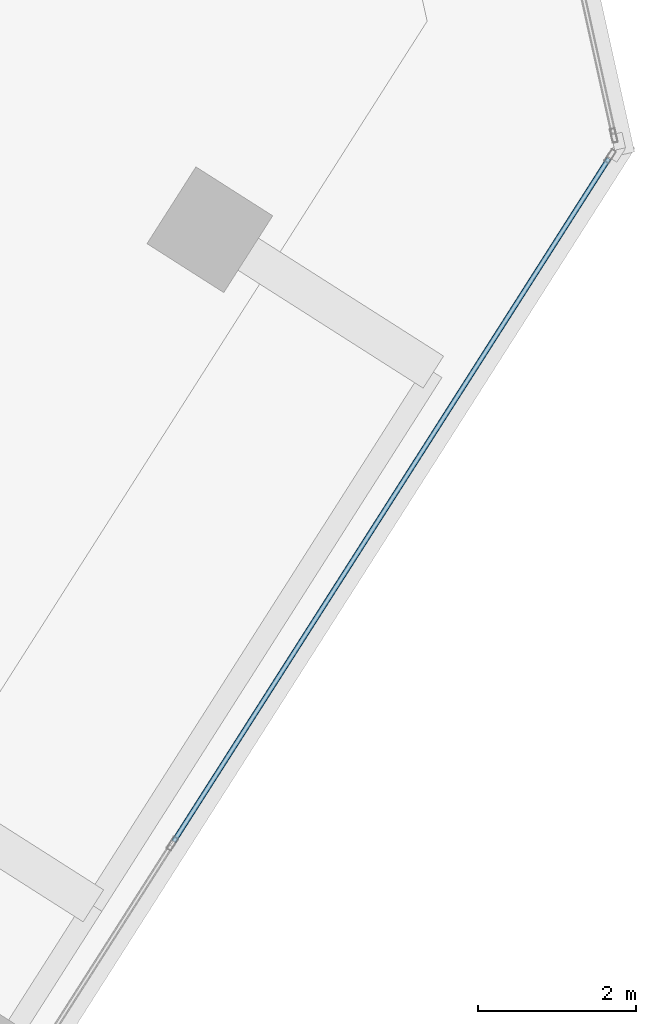
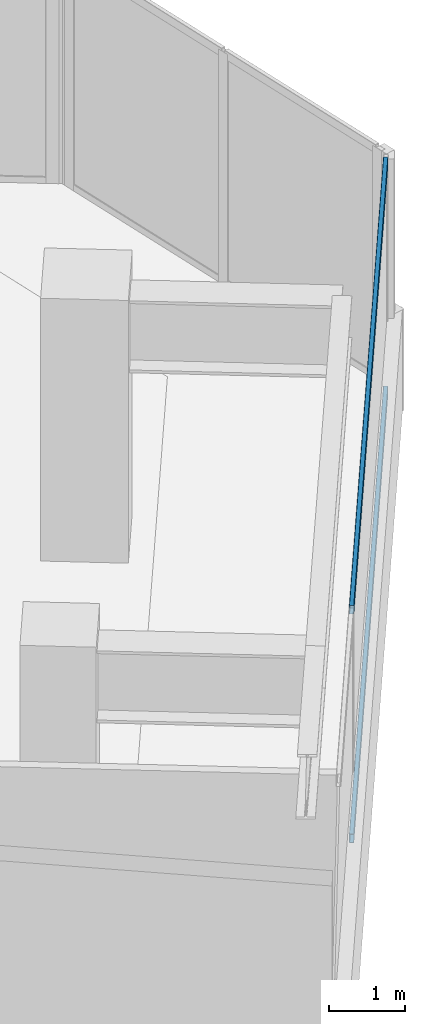
# One storey, part 9 of 23: 2 members, 1 element without a shape of its own.
"""IFC4 building model written with IfcOpenShell, lengths in metres."""

import ifcopenshell
import ifcopenshell.guid

model = None  # the IFC model being written
_history = None  # IfcOwnerHistory: only IFC2X3 demands one
_inside = {}  # id of a spatial element -> (the spatial element, [elements in it])
_under = {}  # id of a project, library or spatial element -> (it, [spatial elements below it])
_declared = {}  # id of a project -> (the project, [libraries it declares])
_typed = {}  # id of a type object -> (the type object, [elements of that type])
_made_of = {}  # id of a material, layer set ... -> (it, [elements and type objects made of it])


def new_model(schema):
    """Start an empty IFC model of exactly this schema.

    Asked for "IFC4X3", IfcOpenShell would pick the latest addendum, in which some entities
    have other attributes; the version numbers below select the first issue.
    IFC2X3 requires an IfcOwnerHistory on every rooted entity: one is made here for all.
    """
    global model, _history
    if schema == "IFC4X3":
        model = ifcopenshell.file(schema_version=(4, 3, 0, 0))
    else:
        model = ifcopenshell.file(schema=schema)
    _inside.clear()
    _under.clear()
    _declared.clear()
    _typed.clear()
    _made_of.clear()
    _history = None
    if model.schema == "IFC2X3":
        org = make("IfcOrganization", Name="unknown")
        user = make(
            "IfcPersonAndOrganization",
            ThePerson=make("IfcPerson", FamilyName="unknown"),
            TheOrganization=org,
        )
        app = make(
            "IfcApplication",
            ApplicationDeveloper=org,
            Version="unknown",
            ApplicationFullName="unknown",
            ApplicationIdentifier="unknown",
        )
        _history = make(
            "IfcOwnerHistory",
            OwningUser=user,
            OwningApplication=app,
            ChangeAction="ADDED",
            CreationDate=0,
        )
    return model


def make(cls, **values):
    """One entity of the class cls with the attributes given. An attribute that is None is left unset."""
    return model.create_entity(
        cls, **{name: value for name, value in values.items() if value is not None}
    )


def rooted(cls, **values):
    """An entity with a GlobalId (a new one), such as an element, a storey or a relation."""
    return make(cls, GlobalId=ifcopenshell.guid.new(), OwnerHistory=_history, **values)


def si_unit(unit_type, name, prefix=None):
    """IfcSIUnit, for example si_unit("LENGTHUNIT", "METRE", prefix="MILLI")."""
    return make("IfcSIUnit", UnitType=unit_type, Prefix=prefix, Name=name)


def assignment(units):
    """IfcUnitAssignment: the units of a project."""
    return None if units is None else make("IfcUnitAssignment", Units=units)


def point(xyz):
    """IfcCartesianPoint."""
    return None if xyz is None else make("IfcCartesianPoint", Coordinates=xyz)


def direction(xyz):
    """IfcDirection."""
    return None if xyz is None else make("IfcDirection", DirectionRatios=xyz)


def frame(location, z_axis=None, x_axis=None):
    """IfcAxis2Placement3D, a coordinate frame: its origin and axes. An axis left out is left unset."""
    return make(
        "IfcAxis2Placement3D",
        Location=point(location),
        Axis=direction(z_axis),
        RefDirection=direction(x_axis),
    )


def frame_2d(location, x_axis=None):
    """IfcAxis2Placement2D, a coordinate frame in the plane: its origin and x axis."""
    return make(
        "IfcAxis2Placement2D", Location=point(location), RefDirection=direction(x_axis)
    )


def origin():
    """The frame at (0, 0, 0) with its axes left unset."""
    return frame((0.0, 0.0, 0.0))


def origin_2d():
    """The frame at (0, 0) in the plane with its x axis left unset."""
    return frame_2d((0.0, 0.0))


def place(relative_to, where):
    """IfcLocalPlacement: puts the frame where relative to a parent placement (None: the world)."""
    return make(
        "IfcLocalPlacement", PlacementRelTo=relative_to, RelativePlacement=where
    )


def context(
    kind, dimensions, precision=None, world=None, true_north=None, identifier=None
):
    """IfcGeometricRepresentationContext, for example the 3D "Model" context."""
    return make(
        "IfcGeometricRepresentationContext",
        ContextIdentifier=identifier,
        ContextType=kind,
        CoordinateSpaceDimension=dimensions,
        Precision=precision,
        WorldCoordinateSystem=world,
        TrueNorth=true_north,
    )


def subcontext(parent, identifier, kind, view, scale=None):
    """IfcGeometricRepresentationSubContext, for example "Body" below "Model"."""
    return make(
        "IfcGeometricRepresentationSubContext",
        ContextIdentifier=identifier,
        ContextType=kind,
        ParentContext=parent,
        TargetScale=scale,
        TargetView=view,
    )


def project(units=None, contexts=None):
    """IfcProject with its units and contexts."""
    return rooted(
        "IfcProject",
        Name="project",
        RepresentationContexts=contexts,
        UnitsInContext=assignment(units),
    )


def spatial(cls, under=None, at=None, **own):
    """A site, building, storey or space (cls), placed at a placement, below another one or the project."""
    s = rooted(cls, ObjectPlacement=at, **own)
    if under is not None:
        _under.setdefault(under.id(), (under, []))[1].append(s)
    return s


def profile(cls, at=None, kind="AREA", **sizes):
    """A parametric profile (cls). Its sizes go by their IFC names, for example OverallWidth=200.0."""
    return make(cls, ProfileType=kind, Position=at, **sizes)


def hollow_rectangle(**sizes):
    """IfcRectangleHollowProfileDef."""
    return profile("IfcRectangleHollowProfileDef", **sizes)


def extrude(swept, where, along, depth):
    """IfcExtrudedAreaSolid: the profile swept, set in the frame where, extruded along a direction by depth."""
    return make(
        "IfcExtrudedAreaSolid",
        SweptArea=swept,
        Position=where,
        ExtrudedDirection=direction(along),
        Depth=depth,
    )


def shape(context_of_items, identifier, shape_type, items):
    """IfcShapeRepresentation: the items that make up one representation, for example the "Body"."""
    return make(
        "IfcShapeRepresentation",
        ContextOfItems=context_of_items,
        RepresentationIdentifier=identifier,
        RepresentationType=shape_type,
        Items=items,
    )


def source(mapping_origin, context_of_items, identifier, shape_type, items):
    """IfcRepresentationMap: a shape defined once, which mapped items show again and again."""
    return make(
        "IfcRepresentationMap",
        MappingOrigin=mapping_origin,
        MappedRepresentation=shape(context_of_items, identifier, shape_type, items),
    )


def transform(
    local_origin,
    x_axis=None,
    y_axis=None,
    z_axis=None,
    scale=None,
    scale2=None,
    scale3=None,
    uniform=True,
):
    """IfcCartesianTransformationOperator3D, or its non-uniform kind. x_axis, y_axis, z_axis: its Axis1, 2, 3."""
    if uniform:
        return make(
            "IfcCartesianTransformationOperator3D",
            Axis1=direction(x_axis),
            Axis2=direction(y_axis),
            LocalOrigin=point(local_origin),
            Scale=scale,
            Axis3=direction(z_axis),
        )
    return make(
        "IfcCartesianTransformationOperator3DnonUniform",
        Axis1=direction(x_axis),
        Axis2=direction(y_axis),
        LocalOrigin=point(local_origin),
        Scale=scale,
        Axis3=direction(z_axis),
        Scale2=scale2,
        Scale3=scale3,
    )


def mapped(mapping_source, mapping_target):
    """IfcMappedItem: shows the shape of a source again, moved by a transform."""
    return make(
        "IfcMappedItem", MappingSource=mapping_source, MappingTarget=mapping_target
    )


def material(Name=None, Category=None):
    """IfcMaterial."""
    return make("IfcMaterial", Name=Name, Category=Category)


def material_profile(
    of_material, cross_section, Name=None, Category=None, Priority=None
):
    """IfcMaterialProfile: a cross section and its material."""
    return make(
        "IfcMaterialProfile",
        Name=Name,
        Material=of_material,
        Profile=cross_section,
        Priority=Priority,
        Category=Category,
    )


def profile_set(profiles, Name=None, composite=None):
    """IfcMaterialProfileSet."""
    return make(
        "IfcMaterialProfileSet",
        Name=Name,
        MaterialProfiles=profiles,
        CompositeProfile=composite,
    )


def made_of(thing, what):
    """Note that an element or type object is made of a material, layer set ...; save() writes the relation."""
    if what is not None:
        _made_of.setdefault(what.id(), (what, []))[1].append(thing)
    return thing


def type_object(cls, material=None, **own):
    """A type object (cls), such as IfcWallType, which elements share."""
    return made_of(rooted(cls, **own), material)


def element(
    cls,
    number,
    at=None,
    inside=None,
    cuts=None,
    type_object=None,
    material=None,
    context=None,
    identifier="Body",
    shape_type=None,
    held_by="IfcProductDefinitionShape",
    body=None,
    shapes=None,
    **own,
):
    """One element of the class cls, such as IfcWall. Its Tag is "e" and its number.

    at: its placement. inside: the storey or other place that contains it. cuts: it is an
    opening in that element (IfcRelVoidsElement). A single representation is given by context,
    identifier, shape_type and body (its items); several are given by shapes. held_by: the class
    of the entity that holds the representations. save() writes the other relations.
    """
    e = rooted(cls, Tag="e%d" % number, ObjectPlacement=at, **own)
    if body is not None:
        shapes = [shape(context, identifier, shape_type, body)]
    if shapes is not None:
        e.Representation = make(held_by, Representations=shapes)
    if inside is not None:
        _inside.setdefault(inside.id(), (inside, []))[1].append(e)
    if cuts is not None:
        rooted(
            "IfcRelVoidsElement", RelatingBuildingElement=cuts, RelatedOpeningElement=e
        )
    if type_object is not None:
        _typed.setdefault(type_object.id(), (type_object, []))[1].append(e)
    return made_of(e, material)


def aggregate(whole, parts):
    """IfcRelAggregates: a whole, such as a stair, and the parts it consists of."""
    return rooted("IfcRelAggregates", RelatingObject=whole, RelatedObjects=parts)


def save(model, path):
    """Write the relations noted so far, then the file.

    IfcRelAggregates (storeys below a building ...), IfcRelContainedInSpatialStructure (elements
    in a storey), IfcRelDefinesByType, IfcRelAssociatesMaterial and IfcRelDeclares: one each for
    every whole, place, type object, material and project.
    """
    for whole, parts in _under.values():
        aggregate(whole, parts)
    for where, things in _inside.values():
        rooted(
            "IfcRelContainedInSpatialStructure",
            RelatedElements=things,
            RelatingStructure=where,
        )
    for kind, things in _typed.values():
        rooted("IfcRelDefinesByType", RelatedObjects=things, RelatingType=kind)
    for what, things in _made_of.values():
        rooted("IfcRelAssociatesMaterial", RelatedObjects=things, RelatingMaterial=what)
    for by, libraries in _declared.values():
        rooted("IfcRelDeclares", RelatingContext=by, RelatedDefinitions=libraries)
    model.write(path)


model = new_model("IFC4")

# Units and contexts
model_context = context("Model", 3, precision=1e-05, world=origin(), true_north=direction((0.0, 1.0)))
body_context = subcontext(model_context, "Body", "Model", "MODEL_VIEW")
ifc_project = project(units=[si_unit("LENGTHUNIT", "METRE"), si_unit("AREAUNIT", "SQUARE_METRE"), si_unit("VOLUMEUNIT", "CUBIC_METRE"), si_unit("PLANEANGLEUNIT", "RADIAN"), si_unit("MASSUNIT", "GRAM", prefix="KILO")], contexts=[model_context])

# Site, building, storey
site_placement = place(None, origin())
site = spatial("IfcSite", under=ifc_project, at=site_placement, CompositionType="ELEMENT")
building_placement = place(site_placement, origin())
building = spatial("IfcBuilding", under=site, at=building_placement, Name="Torre Montelarca", CompositionType="ELEMENT")
storey_placement = place(building_placement, frame((0.0, 0.0, 187.60009765625)))
storey = spatial("IfcBuildingStorey", under=building, at=storey_placement, Name="L42", CompositionType="ELEMENT", Elevation=187.60009765625)

# Curtain wall, members
ifc_material_1 = material(Name="Insulated low-E laminated glass", Category="glass")
curtain_wall_type = type_object("IfcCurtainWallType", Name="CW-SYS-Z2", PredefinedType="USERDEFINED", material=ifc_material_1)
curtain_wall_placement = place(storey_placement, origin())
curtain_wall = element("IfcCurtainWall", 1, at=curtain_wall_placement, inside=storey, type_object=curtain_wall_type, Name="L42 Curtain Wall Run CW-T3-L42-E06-B1", ObjectType="UNITISED GLAZING", PredefinedType="USERDEFINED")
ifc_material_2 = material(Name="Anodised aluminium AA 6063-T6", Category="aluminium")
ifc_material_profile = material_profile(ifc_material_2, hollow_rectangle(XDim=0.06494140625, YDim=0.139892578125, WallThickness=0.00390625, InnerFilletRadius=0.00390625, OuterFilletRadius=0.008056640625, at=origin_2d()), Name="ALU65X140X4", Category="aluminium")
ifc_profile_set = profile_set([ifc_material_profile], Name="Anodised aluminium AA 6063-T6")
member_type = type_object("IfcMemberType", Name="CWT-ALU140", PredefinedType="USERDEFINED", material=ifc_profile_set)
shared_shape = source(origin(), body_context, "Body", "SweptSolid", [
    extrude(hollow_rectangle(XDim=0.06494140625, YDim=0.139892578125, WallThickness=0.00390625, InnerFilletRadius=0.00390625, OuterFilletRadius=0.008056640625, at=origin_2d()), origin(), (0.0, 0.0, 1.0), 10.23681640625),
])
member_1_placement = place(storey_placement, frame((47.691650390625, 16.775390625, 0.032470703125), z_axis=(0.537304432437, 0.843388372509, 0.0), x_axis=(-0.843388372509, 0.537304432437, 0.0)))
member_1 = element("IfcMember", 2, at=member_1_placement, type_object=member_type, Name="CW transom 2.1", ObjectType="TRANSOM", PredefinedType="USERDEFINED", context=body_context, shape_type="MappedRepresentation", body=[
    mapped(shared_shape, transform((0.0, 0.0, 0.0), scale=1.0)),
])
member_2_placement = place(storey_placement, frame((47.691650390625, 16.775390625, 3.6875), z_axis=(0.537304432437, 0.843388372509, 0.0), x_axis=(-0.843388372509, 0.537304432437, 0.0)))
member_2 = element("IfcMember", 3, at=member_2_placement, type_object=member_type, Name="CW transom 2.2", ObjectType="TRANSOM", PredefinedType="USERDEFINED", context=body_context, shape_type="MappedRepresentation", body=[
    mapped(shared_shape, transform((0.0, 0.0, 0.0), scale=1.0)),
])
aggregate(curtain_wall, [member_1, member_2])

save(model, "model.ifc")
